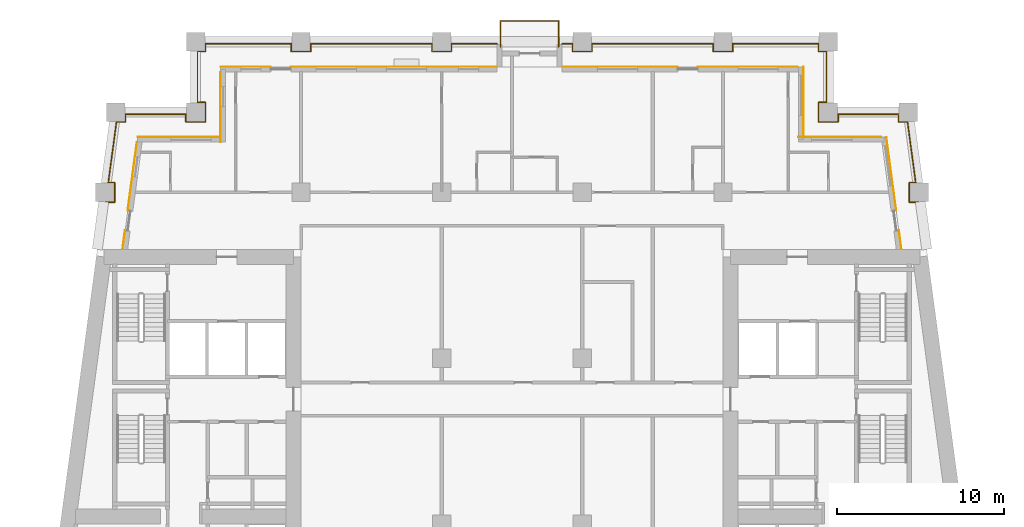
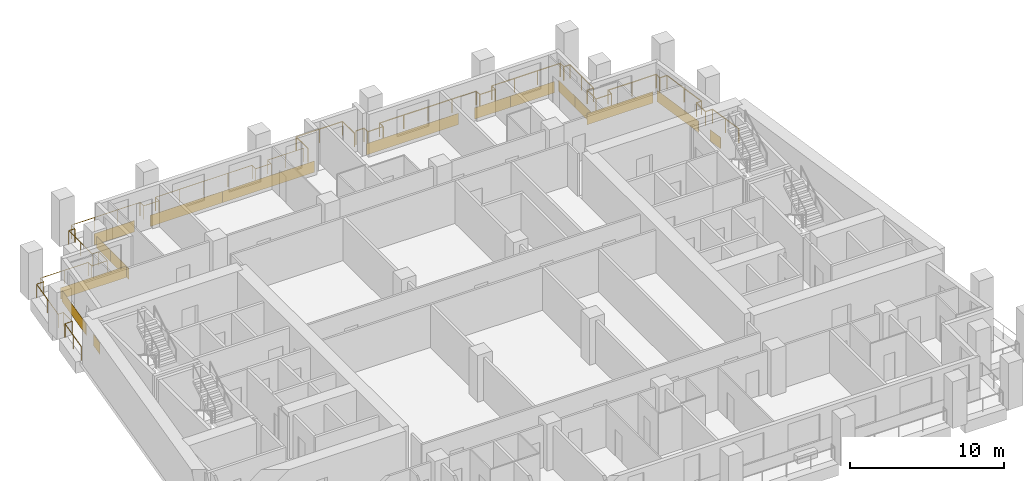
# One storey, part 12 of 13: 16 coverings, 3 railings.
"""IFC4 building model written with IfcOpenShell, lengths in metres."""

from ifc_helpers import new_model, si_unit, direction, frame, origin, origin_2d, place, context, subcontext, project, spatial, rectangle, circle, extrude, material, layer, layer_set, type_object, element, save


model = new_model("IFC4")

# Units and contexts
model_context = context("Model", 3, precision=1e-05, world=origin(), true_north=direction((0.0, 1.0)))
body_context = subcontext(model_context, "Body", "Model", "MODEL_VIEW")
ifc_project = project(units=[si_unit("LENGTHUNIT", "METRE"), si_unit("AREAUNIT", "SQUARE_METRE"), si_unit("VOLUMEUNIT", "CUBIC_METRE"), si_unit("PLANEANGLEUNIT", "RADIAN"), si_unit("MASSUNIT", "GRAM", prefix="KILO")], contexts=[model_context])

# Site, building, storey
site_placement = place(None, origin())
site = spatial("IfcSite", under=ifc_project, at=site_placement, CompositionType="ELEMENT")
building_placement = place(site_placement, origin())
building = spatial("IfcBuilding", under=site, at=building_placement, Name="Candeia Pilgrim Tower and Theatre", CompositionType="ELEMENT")
storey_placement = place(building_placement, frame((0.0, 0.0, 151.5)))
storey = spatial("IfcBuildingStorey", under=building, at=storey_placement, Name="L35", CompositionType="ELEMENT", Elevation=151.5)

# Railings
ifc_material_1 = material(Name="Stainless steel balustrade", Category="steel")
railing_type = type_object("IfcRailingType", Name="G1 loggia guard 1100", PredefinedType="GUARDRAIL", material=ifc_material_1)
railing_1_placement = place(storey_placement, frame((88.758544921875, 132.449951171875, 0.0)))
element("IfcRailing", 1, at=railing_1_placement, inside=storey, type_object=railing_type, Name="Guard L35.2", PredefinedType="GUARDRAIL", context=body_context, shape_type="SweptSolid", body=[
    extrude(circle(Radius=0.02392578125, at=origin_2d()), frame((0.0, 0.0, 1.076171875), z_axis=(0.133382313969, 0.991064659001, 0.0), x_axis=(-0.991064659001, 0.133382313969, 0.0)), (0.0, 0.0, 1.0), 2.794921875),
    extrude(circle(Radius=0.02392578125, at=origin_2d()), frame((0.372802734375, 2.77001953125, 1.076171875), z_axis=(1.0, 0.0, 0.0), x_axis=(0.0, 1.0, 0.0)), (0.0, 0.0, 1.0), 0.537109375),
    extrude(circle(Radius=0.02392578125, at=origin_2d()), frame((0.909912109375, 2.77001953125, 1.076171875), z_axis=(0.0, 1.0, 0.0), x_axis=(-1.0, 0.0, 0.0)), (0.0, 0.0, 1.0), 1.159912109375),
    extrude(circle(Radius=0.02392578125, at=origin_2d()), frame((0.909912109375, 3.929931640625, 1.076171875), z_axis=(-1.0, 0.0, 0.0), x_axis=(0.0, -1.0, 0.0)), (0.0, 0.0, 1.0), 0.380859375),
    extrude(circle(Radius=0.02392578125, at=origin_2d()), frame((0.529052734375, 3.929931640625, 1.076171875), z_axis=(0.133404479078, 0.99106167566, 0.0), x_axis=(-0.99106167566, 0.133404479078, 0.0)), (0.0, 0.0, 1.0), 3.6728515625),
    extrude(circle(Radius=0.02392578125, at=origin_2d()), frame((1.01904296875, 7.570068359375, 1.076171875), z_axis=(1.0, 0.0, 0.0), x_axis=(0.0, 1.0, 0.0)), (0.0, 0.0, 1.0), 0.537109375),
    extrude(circle(Radius=0.02392578125, at=origin_2d()), frame((1.55615234375, 7.570068359375, 1.076171875), z_axis=(0.0, 1.0, 0.0), x_axis=(-1.0, 0.0, 0.0)), (0.0, 0.0, 1.0), 0.4599609375),
    extrude(circle(Radius=0.02392578125, at=origin_2d()), frame((1.55615234375, 8.030029296875, 1.076171875), z_axis=(1.0, 0.0, 0.0), x_axis=(0.0, 1.0, 0.0)), (0.0, 0.0, 1.0), 3.605224609375),
    extrude(circle(Radius=0.02392578125, at=origin_2d()), frame((5.161376953125, 8.030029296875, 1.076171875), z_axis=(0.0, -1.0, 0.0), x_axis=(1.0, 0.0, 0.0)), (0.0, 0.0, 1.0), 0.4599609375),
    extrude(circle(Radius=0.02392578125, at=origin_2d()), frame((5.161376953125, 7.570068359375, 1.076171875), z_axis=(1.0, 0.0, 0.0), x_axis=(0.0, 1.0, 0.0)), (0.0, 0.0, 1.0), 1.16015625),
    extrude(circle(Radius=0.02392578125, at=origin_2d()), frame((6.321533203125, 7.570068359375, 1.076171875), z_axis=(0.0, 1.0, 0.0), x_axis=(-1.0, 0.0, 0.0)), (0.0, 0.0, 1.0), 1.159912109375),
    extrude(circle(Radius=0.02392578125, at=origin_2d()), frame((6.321533203125, 8.72998046875, 1.076171875), z_axis=(-1.0, 0.0, 0.0), x_axis=(0.0, -1.0, 0.0)), (0.0, 0.0, 1.0), 0.4599609375),
    extrude(circle(Radius=0.02392578125, at=origin_2d()), frame((5.861572265625, 8.72998046875, 1.076171875), z_axis=(0.0, 1.0, 0.0), x_axis=(-1.0, 0.0, 0.0)), (0.0, 0.0, 1.0), 3.0400390625),
    extrude(circle(Radius=0.02392578125, at=origin_2d()), frame((5.861572265625, 11.77001953125, 1.076171875), z_axis=(1.0, 0.0, 0.0), x_axis=(0.0, 1.0, 0.0)), (0.0, 0.0, 1.0), 0.4599609375),
    extrude(circle(Radius=0.02392578125, at=origin_2d()), frame((6.321533203125, 11.77001953125, 1.076171875), z_axis=(0.0, 1.0, 0.0), x_axis=(-1.0, 0.0, 0.0)), (0.0, 0.0, 1.0), 0.4599609375),
    extrude(circle(Radius=0.02392578125, at=origin_2d()), frame((6.321533203125, 12.22998046875, 1.076171875), z_axis=(1.0, 0.0, 0.0), x_axis=(0.0, 1.0, 0.0)), (0.0, 0.0, 1.0), 5.139892578125),
    extrude(circle(Radius=0.02392578125, at=origin_2d()), frame((11.46142578125, 12.22998046875, 1.076171875), z_axis=(0.0, -1.0, 0.0), x_axis=(1.0, 0.0, 0.0)), (0.0, 0.0, 1.0), 0.4599609375),
    extrude(circle(Radius=0.02392578125, at=origin_2d()), frame((11.46142578125, 11.77001953125, 1.076171875), z_axis=(1.0, 0.0, 0.0), x_axis=(0.0, 1.0, 0.0)), (0.0, 0.0, 1.0), 1.159912109375),
    extrude(circle(Radius=0.02392578125, at=origin_2d()), frame((12.621337890625, 11.77001953125, 1.076171875), z_axis=(0.0, 1.0, 0.0), x_axis=(-1.0, 0.0, 0.0)), (0.0, 0.0, 1.0), 0.4599609375),
    extrude(circle(Radius=0.02392578125, at=origin_2d()), frame((12.621337890625, 12.22998046875, 1.076171875), z_axis=(1.0, 0.0, 0.0), x_axis=(0.0, 1.0, 0.0)), (0.0, 0.0, 1.0), 7.240234375),
    extrude(circle(Radius=0.02392578125, at=origin_2d()), frame((19.861572265625, 12.22998046875, 1.076171875), z_axis=(0.0, -1.0, 0.0), x_axis=(1.0, 0.0, 0.0)), (0.0, 0.0, 1.0), 0.4599609375),
    extrude(circle(Radius=0.02392578125, at=origin_2d()), frame((19.861572265625, 11.77001953125, 1.076171875), z_axis=(1.0, 0.0, 0.0), x_axis=(0.0, 1.0, 0.0)), (0.0, 0.0, 1.0), 1.159912109375),
    extrude(circle(Radius=0.02392578125, at=origin_2d()), frame((21.021484375, 11.77001953125, 1.076171875), z_axis=(0.0, 1.0, 0.0), x_axis=(-1.0, 0.0, 0.0)), (0.0, 0.0, 1.0), 0.4599609375),
    extrude(circle(Radius=0.02392578125, at=origin_2d()), frame((21.021484375, 12.22998046875, 1.076171875), z_axis=(1.0, 0.0, 0.0), x_axis=(0.0, 1.0, 0.0)), (0.0, 0.0, 1.0), 2.719970703125),
    extrude(circle(Radius=0.02099609375, at=origin_2d()), origin(), (0.0, 0.0, 1.0), 1.052001953125),
    extrude(circle(Radius=0.02099609375, at=origin_2d()), frame((0.1865234375, 1.385009765625, 0.0)), (0.0, 0.0, 1.0), 1.052001953125),
    extrude(circle(Radius=0.02099609375, at=origin_2d()), frame((0.372802734375, 2.77001953125, 0.0)), (0.0, 0.0, 1.0), 1.052001953125),
    extrude(circle(Radius=0.02099609375, at=origin_2d()), frame((0.909912109375, 2.77001953125, 0.0)), (0.0, 0.0, 1.0), 1.052001953125),
    extrude(circle(Radius=0.02099609375, at=origin_2d()), frame((0.909912109375, 3.929931640625, 0.0)), (0.0, 0.0, 1.0), 1.052001953125),
    extrude(circle(Radius=0.02099609375, at=origin_2d()), frame((0.529052734375, 3.929931640625, 0.0)), (0.0, 0.0, 1.0), 1.052001953125),
    extrude(circle(Radius=0.02099609375, at=origin_2d()), frame((0.77392578125, 5.75, 0.0)), (0.0, 0.0, 1.0), 1.052001953125),
    extrude(circle(Radius=0.02099609375, at=origin_2d()), frame((1.01904296875, 7.570068359375, 0.0)), (0.0, 0.0, 1.0), 1.052001953125),
    extrude(circle(Radius=0.02099609375, at=origin_2d()), frame((1.55615234375, 7.570068359375, 0.0)), (0.0, 0.0, 1.0), 1.052001953125),
    extrude(circle(Radius=0.02099609375, at=origin_2d()), frame((1.55615234375, 8.030029296875, 0.0)), (0.0, 0.0, 1.0), 1.052001953125),
    extrude(circle(Radius=0.02099609375, at=origin_2d()), frame((3.35888671875, 8.030029296875, 0.0)), (0.0, 0.0, 1.0), 1.052001953125),
    extrude(circle(Radius=0.02099609375, at=origin_2d()), frame((5.161376953125, 8.030029296875, 0.0)), (0.0, 0.0, 1.0), 1.052001953125),
    extrude(circle(Radius=0.02099609375, at=origin_2d()), frame((5.161376953125, 7.570068359375, 0.0)), (0.0, 0.0, 1.0), 1.052001953125),
    extrude(circle(Radius=0.02099609375, at=origin_2d()), frame((6.321533203125, 7.570068359375, 0.0)), (0.0, 0.0, 1.0), 1.052001953125),
    extrude(circle(Radius=0.02099609375, at=origin_2d()), frame((6.321533203125, 8.72998046875, 0.0)), (0.0, 0.0, 1.0), 1.052001953125),
    extrude(circle(Radius=0.02099609375, at=origin_2d()), frame((5.861572265625, 8.72998046875, 0.0)), (0.0, 0.0, 1.0), 1.052001953125),
    extrude(circle(Radius=0.02099609375, at=origin_2d()), frame((5.861572265625, 10.25, 0.0)), (0.0, 0.0, 1.0), 1.052001953125),
    extrude(circle(Radius=0.02099609375, at=origin_2d()), frame((5.861572265625, 11.77001953125, 0.0)), (0.0, 0.0, 1.0), 1.052001953125),
    extrude(circle(Radius=0.02099609375, at=origin_2d()), frame((6.321533203125, 11.77001953125, 0.0)), (0.0, 0.0, 1.0), 1.052001953125),
    extrude(circle(Radius=0.02099609375, at=origin_2d()), frame((6.321533203125, 12.22998046875, 0.0)), (0.0, 0.0, 1.0), 1.052001953125),
    extrude(circle(Radius=0.02099609375, at=origin_2d()), frame((8.034912109375, 12.22998046875, 0.0)), (0.0, 0.0, 1.0), 1.052001953125),
    extrude(circle(Radius=0.02099609375, at=origin_2d()), frame((9.748046875, 12.22998046875, 0.0)), (0.0, 0.0, 1.0), 1.052001953125),
    extrude(circle(Radius=0.02099609375, at=origin_2d()), frame((11.46142578125, 12.22998046875, 0.0)), (0.0, 0.0, 1.0), 1.052001953125),
    extrude(circle(Radius=0.02099609375, at=origin_2d()), frame((11.46142578125, 11.77001953125, 0.0)), (0.0, 0.0, 1.0), 1.052001953125),
    extrude(circle(Radius=0.02099609375, at=origin_2d()), frame((12.621337890625, 11.77001953125, 0.0)), (0.0, 0.0, 1.0), 1.052001953125),
    extrude(circle(Radius=0.02099609375, at=origin_2d()), frame((12.621337890625, 12.22998046875, 0.0)), (0.0, 0.0, 1.0), 1.052001953125),
    extrude(circle(Radius=0.02099609375, at=origin_2d()), frame((14.431396484375, 12.22998046875, 0.0)), (0.0, 0.0, 1.0), 1.052001953125),
    extrude(circle(Radius=0.02099609375, at=origin_2d()), frame((16.241455078125, 12.22998046875, 0.0)), (0.0, 0.0, 1.0), 1.052001953125),
    extrude(circle(Radius=0.02099609375, at=origin_2d()), frame((18.051513671875, 12.22998046875, 0.0)), (0.0, 0.0, 1.0), 1.052001953125),
    extrude(circle(Radius=0.02099609375, at=origin_2d()), frame((19.861572265625, 12.22998046875, 0.0)), (0.0, 0.0, 1.0), 1.052001953125),
    extrude(circle(Radius=0.02099609375, at=origin_2d()), frame((19.861572265625, 11.77001953125, 0.0)), (0.0, 0.0, 1.0), 1.052001953125),
    extrude(circle(Radius=0.02099609375, at=origin_2d()), frame((21.021484375, 11.77001953125, 0.0)), (0.0, 0.0, 1.0), 1.052001953125),
    extrude(circle(Radius=0.02099609375, at=origin_2d()), frame((21.021484375, 12.22998046875, 0.0)), (0.0, 0.0, 1.0), 1.052001953125),
    extrude(circle(Radius=0.02099609375, at=origin_2d()), frame((22.38134765625, 12.22998046875, 0.0)), (0.0, 0.0, 1.0), 1.052001953125),
    extrude(circle(Radius=0.02099609375, at=origin_2d()), frame((23.741455078125, 12.22998046875, 0.0)), (0.0, 0.0, 1.0), 1.052001953125),
])
railing_2_placement = place(storey_placement, frame((116.39990234375, 144.679931640625, 0.0)))
element("IfcRailing", 2, at=railing_2_placement, inside=storey, type_object=railing_type, Name="Guard L35.3", PredefinedType="GUARDRAIL", context=body_context, shape_type="SweptSolid", body=[
    extrude(circle(Radius=0.02392578125, at=origin_2d()), frame((0.0, 0.0, 1.076171875), z_axis=(1.0, 0.0, 0.0), x_axis=(0.0, 1.0, 0.0)), (0.0, 0.0, 1.0), 0.6201171875),
    extrude(circle(Radius=0.02392578125, at=origin_2d()), frame((0.6201171875, 0.0, 1.076171875), z_axis=(0.0, -1.0, 0.0), x_axis=(1.0, 0.0, 0.0)), (0.0, 0.0, 1.0), 0.4599609375),
    extrude(circle(Radius=0.02392578125, at=origin_2d()), frame((0.6201171875, -0.4599609375, 1.076171875), z_axis=(1.0, 0.0, 0.0), x_axis=(0.0, 1.0, 0.0)), (0.0, 0.0, 1.0), 1.159912109375),
    extrude(circle(Radius=0.02392578125, at=origin_2d()), frame((1.780029296875, -0.4599609375, 1.076171875), z_axis=(0.0, 1.0, 0.0), x_axis=(-1.0, 0.0, 0.0)), (0.0, 0.0, 1.0), 0.4599609375),
    extrude(circle(Radius=0.02392578125, at=origin_2d()), frame((1.780029296875, 0.0, 1.076171875), z_axis=(1.0, 0.0, 0.0), x_axis=(0.0, 1.0, 0.0)), (0.0, 0.0, 1.0), 7.239990234375),
    extrude(circle(Radius=0.02392578125, at=origin_2d()), frame((9.02001953125, 0.0, 1.076171875), z_axis=(0.0, -1.0, 0.0), x_axis=(1.0, 0.0, 0.0)), (0.0, 0.0, 1.0), 0.4599609375),
    extrude(circle(Radius=0.02392578125, at=origin_2d()), frame((9.02001953125, -0.4599609375, 1.076171875), z_axis=(1.0, 0.0, 0.0), x_axis=(0.0, 1.0, 0.0)), (0.0, 0.0, 1.0), 1.16015625),
    extrude(circle(Radius=0.02392578125, at=origin_2d()), frame((10.18017578125, -0.4599609375, 1.076171875), z_axis=(0.0, 1.0, 0.0), x_axis=(-1.0, 0.0, 0.0)), (0.0, 0.0, 1.0), 0.4599609375),
    extrude(circle(Radius=0.02392578125, at=origin_2d()), frame((10.18017578125, 0.0, 1.076171875), z_axis=(1.0, 0.0, 0.0), x_axis=(0.0, 1.0, 0.0)), (0.0, 0.0, 1.0), 5.139892578125),
    extrude(circle(Radius=0.02392578125, at=origin_2d()), frame((15.320068359375, 0.0, 1.076171875), z_axis=(0.0, -1.0, 0.0), x_axis=(1.0, 0.0, 0.0)), (0.0, 0.0, 1.0), 0.4599609375),
    extrude(circle(Radius=0.02392578125, at=origin_2d()), frame((15.320068359375, -0.4599609375, 1.076171875), z_axis=(1.0, 0.0, 0.0), x_axis=(0.0, 1.0, 0.0)), (0.0, 0.0, 1.0), 0.4599609375),
    extrude(circle(Radius=0.02392578125, at=origin_2d()), frame((15.780029296875, -0.4599609375, 1.076171875), z_axis=(0.0, -1.0, 0.0), x_axis=(1.0, 0.0, 0.0)), (0.0, 0.0, 1.0), 3.0400390625),
    extrude(circle(Radius=0.02392578125, at=origin_2d()), frame((15.780029296875, -3.5, 1.076171875), z_axis=(-1.0, 0.0, 0.0), x_axis=(0.0, -1.0, 0.0)), (0.0, 0.0, 1.0), 0.4599609375),
    extrude(circle(Radius=0.02392578125, at=origin_2d()), frame((15.320068359375, -3.5, 1.076171875), z_axis=(0.0, -1.0, 0.0), x_axis=(1.0, 0.0, 0.0)), (0.0, 0.0, 1.0), 1.159912109375),
    extrude(circle(Radius=0.02392578125, at=origin_2d()), frame((15.320068359375, -4.659912109375, 1.076171875), z_axis=(1.0, 0.0, 0.0), x_axis=(0.0, 1.0, 0.0)), (0.0, 0.0, 1.0), 1.159912109375),
    extrude(circle(Radius=0.02392578125, at=origin_2d()), frame((16.47998046875, -4.659912109375, 1.076171875), z_axis=(0.0, 1.0, 0.0), x_axis=(-1.0, 0.0, 0.0)), (0.0, 0.0, 1.0), 0.4599609375),
    extrude(circle(Radius=0.02392578125, at=origin_2d()), frame((16.47998046875, -4.199951171875, 1.076171875), z_axis=(1.0, 0.0, 0.0), x_axis=(0.0, 1.0, 0.0)), (0.0, 0.0, 1.0), 3.60546875),
    extrude(circle(Radius=0.02392578125, at=origin_2d()), frame((20.08544921875, -4.199951171875, 1.076171875), z_axis=(0.0, -1.0, 0.0), x_axis=(1.0, 0.0, 0.0)), (0.0, 0.0, 1.0), 0.4599609375),
    extrude(circle(Radius=0.02392578125, at=origin_2d()), frame((20.08544921875, -4.659912109375, 1.076171875), z_axis=(1.0, 0.0, 0.0), x_axis=(0.0, 1.0, 0.0)), (0.0, 0.0, 1.0), 0.537109375),
    extrude(circle(Radius=0.02392578125, at=origin_2d()), frame((20.62255859375, -4.659912109375, 1.076171875), z_axis=(0.133404479078, -0.99106167566, 0.0), x_axis=(0.99106167566, 0.133404479078, 0.0)), (0.0, 0.0, 1.0), 3.6728515625),
    extrude(circle(Radius=0.02392578125, at=origin_2d()), frame((21.112548828125, -8.300048828125, 1.076171875), z_axis=(-1.0, 0.0, 0.0), x_axis=(0.0, -1.0, 0.0)), (0.0, 0.0, 1.0), 0.380859375),
    extrude(circle(Radius=0.02392578125, at=origin_2d()), frame((20.731689453125, -8.300048828125, 1.076171875), z_axis=(0.0, -1.0, 0.0), x_axis=(1.0, 0.0, 0.0)), (0.0, 0.0, 1.0), 1.159912109375),
    extrude(circle(Radius=0.02392578125, at=origin_2d()), frame((20.731689453125, -9.4599609375, 1.076171875), z_axis=(1.0, 0.0, 0.0), x_axis=(0.0, 1.0, 0.0)), (0.0, 0.0, 1.0), 0.536865234375),
    extrude(circle(Radius=0.02392578125, at=origin_2d()), frame((21.2685546875, -9.4599609375, 1.076171875), z_axis=(0.133468107709, -0.99105310868, 0.0), x_axis=(0.99105310868, 0.133468107709, 0.0)), (0.0, 0.0, 1.0), 2.794921875),
    extrude(circle(Radius=0.02099609375, at=origin_2d()), origin(), (0.0, 0.0, 1.0), 1.052001953125),
    extrude(circle(Radius=0.02099609375, at=origin_2d()), frame((0.6201171875, 0.0, 0.0)), (0.0, 0.0, 1.0), 1.052001953125),
    extrude(circle(Radius=0.02099609375, at=origin_2d()), frame((0.6201171875, -0.4599609375, 0.0)), (0.0, 0.0, 1.0), 1.052001953125),
    extrude(circle(Radius=0.02099609375, at=origin_2d()), frame((1.780029296875, -0.4599609375, 0.0)), (0.0, 0.0, 1.0), 1.052001953125),
    extrude(circle(Radius=0.02099609375, at=origin_2d()), frame((1.780029296875, 0.0, 0.0)), (0.0, 0.0, 1.0), 1.052001953125),
    extrude(circle(Radius=0.02099609375, at=origin_2d()), frame((3.590087890625, 0.0, 0.0)), (0.0, 0.0, 1.0), 1.052001953125),
    extrude(circle(Radius=0.02099609375, at=origin_2d()), frame((5.39990234375, 0.0, 0.0)), (0.0, 0.0, 1.0), 1.052001953125),
    extrude(circle(Radius=0.02099609375, at=origin_2d()), frame((7.2099609375, 0.0, 0.0)), (0.0, 0.0, 1.0), 1.052001953125),
    extrude(circle(Radius=0.02099609375, at=origin_2d()), frame((9.02001953125, 0.0, 0.0)), (0.0, 0.0, 1.0), 1.052001953125),
    extrude(circle(Radius=0.02099609375, at=origin_2d()), frame((9.02001953125, -0.4599609375, 0.0)), (0.0, 0.0, 1.0), 1.052001953125),
    extrude(circle(Radius=0.02099609375, at=origin_2d()), frame((10.18017578125, -0.4599609375, 0.0)), (0.0, 0.0, 1.0), 1.052001953125),
    extrude(circle(Radius=0.02099609375, at=origin_2d()), frame((10.18017578125, 0.0, 0.0)), (0.0, 0.0, 1.0), 1.052001953125),
    extrude(circle(Radius=0.02099609375, at=origin_2d()), frame((11.8935546875, 0.0, 0.0)), (0.0, 0.0, 1.0), 1.052001953125),
    extrude(circle(Radius=0.02099609375, at=origin_2d()), frame((13.606689453125, 0.0, 0.0)), (0.0, 0.0, 1.0), 1.052001953125),
    extrude(circle(Radius=0.02099609375, at=origin_2d()), frame((15.320068359375, 0.0, 0.0)), (0.0, 0.0, 1.0), 1.052001953125),
    extrude(circle(Radius=0.02099609375, at=origin_2d()), frame((15.320068359375, -0.4599609375, 0.0)), (0.0, 0.0, 1.0), 1.052001953125),
    extrude(circle(Radius=0.02099609375, at=origin_2d()), frame((15.780029296875, -0.4599609375, 0.0)), (0.0, 0.0, 1.0), 1.052001953125),
    extrude(circle(Radius=0.02099609375, at=origin_2d()), frame((15.780029296875, -1.97998046875, 0.0)), (0.0, 0.0, 1.0), 1.052001953125),
    extrude(circle(Radius=0.02099609375, at=origin_2d()), frame((15.780029296875, -3.5, 0.0)), (0.0, 0.0, 1.0), 1.052001953125),
    extrude(circle(Radius=0.02099609375, at=origin_2d()), frame((15.320068359375, -3.5, 0.0)), (0.0, 0.0, 1.0), 1.052001953125),
    extrude(circle(Radius=0.02099609375, at=origin_2d()), frame((15.320068359375, -4.659912109375, 0.0)), (0.0, 0.0, 1.0), 1.052001953125),
    extrude(circle(Radius=0.02099609375, at=origin_2d()), frame((16.47998046875, -4.659912109375, 0.0)), (0.0, 0.0, 1.0), 1.052001953125),
    extrude(circle(Radius=0.02099609375, at=origin_2d()), frame((16.47998046875, -4.199951171875, 0.0)), (0.0, 0.0, 1.0), 1.052001953125),
    extrude(circle(Radius=0.02099609375, at=origin_2d()), frame((18.28271484375, -4.199951171875, 0.0)), (0.0, 0.0, 1.0), 1.052001953125),
    extrude(circle(Radius=0.02099609375, at=origin_2d()), frame((20.08544921875, -4.199951171875, 0.0)), (0.0, 0.0, 1.0), 1.052001953125),
    extrude(circle(Radius=0.02099609375, at=origin_2d()), frame((20.08544921875, -4.659912109375, 0.0)), (0.0, 0.0, 1.0), 1.052001953125),
    extrude(circle(Radius=0.02099609375, at=origin_2d()), frame((20.62255859375, -4.659912109375, 0.0)), (0.0, 0.0, 1.0), 1.052001953125),
    extrude(circle(Radius=0.02099609375, at=origin_2d()), frame((20.86767578125, -6.47998046875, 0.0)), (0.0, 0.0, 1.0), 1.052001953125),
    extrude(circle(Radius=0.02099609375, at=origin_2d()), frame((21.112548828125, -8.300048828125, 0.0)), (0.0, 0.0, 1.0), 1.052001953125),
    extrude(circle(Radius=0.02099609375, at=origin_2d()), frame((20.731689453125, -8.300048828125, 0.0)), (0.0, 0.0, 1.0), 1.052001953125),
    extrude(circle(Radius=0.02099609375, at=origin_2d()), frame((20.731689453125, -9.4599609375, 0.0)), (0.0, 0.0, 1.0), 1.052001953125),
    extrude(circle(Radius=0.02099609375, at=origin_2d()), frame((21.2685546875, -9.4599609375, 0.0)), (0.0, 0.0, 1.0), 1.052001953125),
    extrude(circle(Radius=0.02099609375, at=origin_2d()), frame((21.455078125, -10.844970703125, 0.0)), (0.0, 0.0, 1.0), 1.052001953125),
    extrude(circle(Radius=0.02099609375, at=origin_2d()), frame((21.6416015625, -12.22998046875, 0.0)), (0.0, 0.0, 1.0), 1.052001953125),
])
railing_3_placement = place(storey_placement, frame((112.7099609375, 144.5, 0.0)))
element("IfcRailing", 3, at=railing_3_placement, inside=storey, type_object=railing_type, Name="Balcony guard L35", PredefinedType="GUARDRAIL", context=body_context, shape_type="SweptSolid", body=[
    extrude(circle(Radius=0.02392578125, at=origin_2d()), frame((0.0, 0.0, 1.076171875), z_axis=(0.0, 1.0, 0.0), x_axis=(-1.0, 0.0, 0.0)), (0.0, 0.0, 1.0), 1.5400390625),
    extrude(circle(Radius=0.02392578125, at=origin_2d()), frame((0.0, 1.5400390625, 1.076171875), z_axis=(1.0, 0.0, 0.0), x_axis=(0.0, 1.0, 0.0)), (0.0, 0.0, 1.0), 3.47998046875),
    extrude(circle(Radius=0.02392578125, at=origin_2d()), frame((3.47998046875, 1.5400390625, 1.076171875), z_axis=(0.0, -1.0, 0.0), x_axis=(1.0, 0.0, 0.0)), (0.0, 0.0, 1.0), 1.5400390625),
    extrude(circle(Radius=0.02099609375, at=origin_2d()), origin(), (0.0, 0.0, 1.0), 1.052001953125),
    extrude(circle(Radius=0.02099609375, at=origin_2d()), frame((0.0, 1.5400390625, 0.0)), (0.0, 0.0, 1.0), 1.052001953125),
    extrude(circle(Radius=0.02099609375, at=origin_2d()), frame((1.739990234375, 1.5400390625, 0.0)), (0.0, 0.0, 1.0), 1.052001953125),
    extrude(circle(Radius=0.02099609375, at=origin_2d()), frame((3.47998046875, 1.5400390625, 0.0)), (0.0, 0.0, 1.0), 1.052001953125),
    extrude(circle(Radius=0.02099609375, at=origin_2d()), frame((3.47998046875, 0.0, 0.0)), (0.0, 0.0, 1.0), 1.052001953125),
])

# Coverings
ifc_material_2 = material(Name="Glazed ceramic tile red")
ifc_layer_1 = layer(ifc_material_2, 0.02001953125)
ifc_layer_set_1 = layer_set([ifc_layer_1], Name="Glazed ceramic tile red")
covering_type_1 = type_object("IfcCoveringType", Name="Glazed ceramic tile red", PredefinedType="CLADDING", material=ifc_layer_set_1)
covering_1_placement = place(storey_placement, frame((136.588623046875, 132.97412109375, 0.0), z_axis=(0.0, 0.0, 1.0), x_axis=(-0.133412012145, 0.991060661622, 0.0)))
element("IfcCovering", 4, at=covering_1_placement, inside=storey, type_object=covering_type_1, Name="Tile cladding red L35", PredefinedType="CLADDING", context=body_context, shape_type="SweptSolid", body=[
    extrude(rectangle(XDim=1.115234375, YDim=0.02001953125, at=origin_2d()), origin(), (0.0, 0.0, 1.0), 0.89990234375),
])
covering_2_placement = place(storey_placement, frame((136.058837890625, 136.90869140625, 0.0), z_axis=(0.0, 0.0, 1.0), x_axis=(-0.133412012145, 0.991060661622, 0.0)))
element("IfcCovering", 5, at=covering_2_placement, inside=storey, type_object=covering_type_1, Name="Tile cladding red L35", PredefinedType="CLADDING", context=body_context, shape_type="SweptSolid", body=[
    extrude(rectangle(XDim=4.4248046875, YDim=0.02001953125, at=origin_2d()), origin(), (0.0, 0.0, 1.0), 0.89990234375),
])
covering_3_placement = place(storey_placement, frame((130.81005859375, 140.159912109375, 0.0), z_axis=(0.0, 0.0, 1.0), x_axis=(0.0, 1.0, 0.0)))
element("IfcCovering", 6, at=covering_3_placement, inside=storey, type_object=covering_type_1, Name="Tile cladding red L35", PredefinedType="CLADDING", context=body_context, shape_type="SweptSolid", body=[
    extrude(rectangle(XDim=2.080078125, YDim=0.02001953125, at=origin_2d()), origin(), (0.0, 0.0, 1.0), 0.89990234375),
])
covering_4_placement = place(storey_placement, frame((125.85009765625, 143.31005859375, 0.0), z_axis=(0.0, 0.0, 1.0), x_axis=(-1.0, 0.0, 0.0)))
element("IfcCovering", 7, at=covering_4_placement, inside=storey, type_object=covering_type_1, Name="Tile cladding red L35", PredefinedType="CLADDING", context=body_context, shape_type="SweptSolid", body=[
    extrude(rectangle(XDim=2.699951171875, YDim=0.02001953125, at=origin_2d()), origin(), (0.0, 0.0, 1.0), 0.89990234375),
])
for number, where, z_axis, x_axis, name in (
    (8, (119.85009765625, 143.31005859375, 0.0), (0.0, 0.0, 1.0), (-1.0, 0.0, 0.0), "Tile cladding red L35"),
    (9, (109.050048828125, 143.31005859375, 0.0), (0.0, 0.0, 1.0), (-1.0, 0.0, 0.0), "Tile cladding red L35"),
):
    element("IfcCovering", number, at=place(storey_placement, frame(where, z_axis=z_axis, x_axis=x_axis)), inside=storey, type_object=covering_type_1, Name=name, PredefinedType="CLADDING", context=body_context, shape_type="SweptSolid", body=[
        extrude(rectangle(XDim=6.89990234375, YDim=0.02001953125, at=origin_2d()), origin(), (0.0, 0.0, 1.0), 0.89990234375),
    ])
covering_5_placement = place(storey_placement, frame((95.989990234375, 140.0, 0.0), z_axis=(0.0, 0.0, 1.0), x_axis=(0.0, -1.0, 0.0)))
element("IfcCovering", 10, at=covering_5_placement, inside=storey, type_object=covering_type_1, Name="Tile cladding red L35", PredefinedType="CLADDING", context=body_context, shape_type="SweptSolid", body=[
    extrude(rectangle(XDim=2.39990234375, YDim=0.02001953125, at=origin_2d()), origin(), (0.0, 0.0, 1.0), 0.89990234375),
])
covering_6_placement = place(storey_placement, frame((90.720947265625, 136.759521484375, 0.0), z_axis=(0.0, 0.0, 1.0), x_axis=(-0.133412012145, -0.991060661622, 0.0)))
element("IfcCovering", 11, at=covering_6_placement, inside=storey, type_object=covering_type_1, Name="Tile cladding red L35", PredefinedType="CLADDING", context=body_context, shape_type="SweptSolid", body=[
    extrude(rectangle(XDim=4.123779296875, YDim=0.02001953125, at=origin_2d()), origin(), (0.0, 0.0, 1.0), 0.89990234375),
])
covering_7_placement = place(storey_placement, frame((90.21142578125, 132.97412109375, 0.0), z_axis=(0.0, 0.0, 1.0), x_axis=(-0.133412012145, -0.991060661622, 0.0)))
element("IfcCovering", 12, at=covering_7_placement, inside=storey, type_object=covering_type_1, Name="Tile cladding red L35", PredefinedType="CLADDING", context=body_context, shape_type="SweptSolid", body=[
    extrude(rectangle(XDim=1.115234375, YDim=0.02001953125, at=origin_2d()), origin(), (0.0, 0.0, 1.0), 0.89990234375),
])
ifc_material_3 = material(Name="Glazed ceramic tile rust")
ifc_layer_2 = layer(ifc_material_3, 0.02001953125)
ifc_layer_set_2 = layer_set([ifc_layer_2], Name="Glazed ceramic tile rust")
covering_type_2 = type_object("IfcCoveringType", Name="Glazed ceramic tile rust", PredefinedType="CLADDING", material=ifc_layer_set_2)
covering_8_placement = place(storey_placement, frame((132.976318359375, 139.110107421875, 0.0), z_axis=(0.0, 0.0, 1.0), x_axis=(-1.0, 0.0, 0.0)))
element("IfcCovering", 13, at=covering_8_placement, inside=storey, type_object=covering_type_2, Name="Tile cladding rust L35", PredefinedType="CLADDING", context=body_context, shape_type="SweptSolid", body=[
    extrude(rectangle(XDim=4.95263671875, YDim=0.02001953125, at=origin_2d()), origin(), (0.0, 0.0, 1.0), 0.89990234375),
])
covering_9_placement = place(storey_placement, frame((130.81005859375, 142.25, 0.0), z_axis=(0.0, 0.0, 1.0), x_axis=(0.0, 1.0, 0.0)))
element("IfcCovering", 14, at=covering_9_placement, inside=storey, type_object=covering_type_2, Name="Tile cladding rust L35", PredefinedType="CLADDING", context=body_context, shape_type="SweptSolid", body=[
    extrude(rectangle(XDim=2.10009765625, YDim=0.02001953125, at=origin_2d()), origin(), (0.0, 0.0, 1.0), 0.89990234375),
])
covering_10_placement = place(storey_placement, frame((128.840087890625, 143.31005859375, 0.0), z_axis=(0.0, 0.0, 1.0), x_axis=(-1.0, 0.0, 0.0)))
element("IfcCovering", 15, at=covering_10_placement, inside=storey, type_object=covering_type_2, Name="Tile cladding rust L35", PredefinedType="CLADDING", context=body_context, shape_type="SweptSolid", body=[
    extrude(rectangle(XDim=3.280029296875, YDim=0.02001953125, at=origin_2d()), origin(), (0.0, 0.0, 1.0), 0.89990234375),
])
covering_11_placement = place(storey_placement, frame((102.89990234375, 143.31005859375, 0.0), z_axis=(0.0, 0.0, 1.0), x_axis=(-1.0, 0.0, 0.0)))
element("IfcCovering", 16, at=covering_11_placement, inside=storey, type_object=covering_type_2, Name="Tile cladding rust L35", PredefinedType="CLADDING", context=body_context, shape_type="SweptSolid", body=[
    extrude(rectangle(XDim=5.39990234375, YDim=0.02001953125, at=origin_2d()), origin(), (0.0, 0.0, 1.0), 0.89990234375),
])
covering_12_placement = place(storey_placement, frame((97.5, 143.31005859375, 0.0), z_axis=(0.0, 0.0, 1.0), x_axis=(-1.0, 0.0, 0.0)))
element("IfcCovering", 17, at=covering_12_placement, inside=storey, type_object=covering_type_2, Name="Tile cladding rust L35", PredefinedType="CLADDING", context=body_context, shape_type="SweptSolid", body=[
    extrude(rectangle(XDim=3.0, YDim=0.02001953125, at=origin_2d()), origin(), (0.0, 0.0, 1.0), 0.89990234375),
])
covering_13_placement = place(storey_placement, frame((95.989990234375, 142.090087890625, 0.0), z_axis=(0.0, 0.0, 1.0), x_axis=(0.0, -1.0, 0.0)))
element("IfcCovering", 18, at=covering_13_placement, inside=storey, type_object=covering_type_2, Name="Tile cladding rust L35", PredefinedType="CLADDING", context=body_context, shape_type="SweptSolid", body=[
    extrude(rectangle(XDim=1.780029296875, YDim=0.02001953125, at=origin_2d()), origin(), (0.0, 0.0, 1.0), 0.89990234375),
])
covering_14_placement = place(storey_placement, frame((93.51318359375, 139.110107421875, 0.0), z_axis=(0.0, 0.0, 1.0), x_axis=(-1.0, 0.0, 0.0)))
element("IfcCovering", 19, at=covering_14_placement, inside=storey, type_object=covering_type_2, Name="Tile cladding rust L35", PredefinedType="CLADDING", context=body_context, shape_type="SweptSolid", body=[
    extrude(rectangle(XDim=4.933837890625, YDim=0.02001953125, at=origin_2d()), origin(), (0.0, 0.0, 1.0), 0.89990234375),
])

save(model, "model.ifc")
